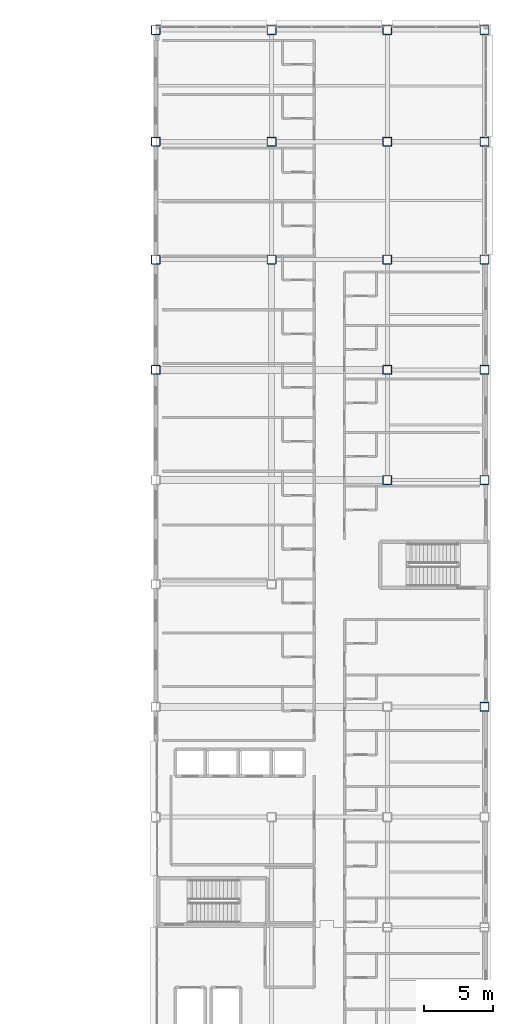
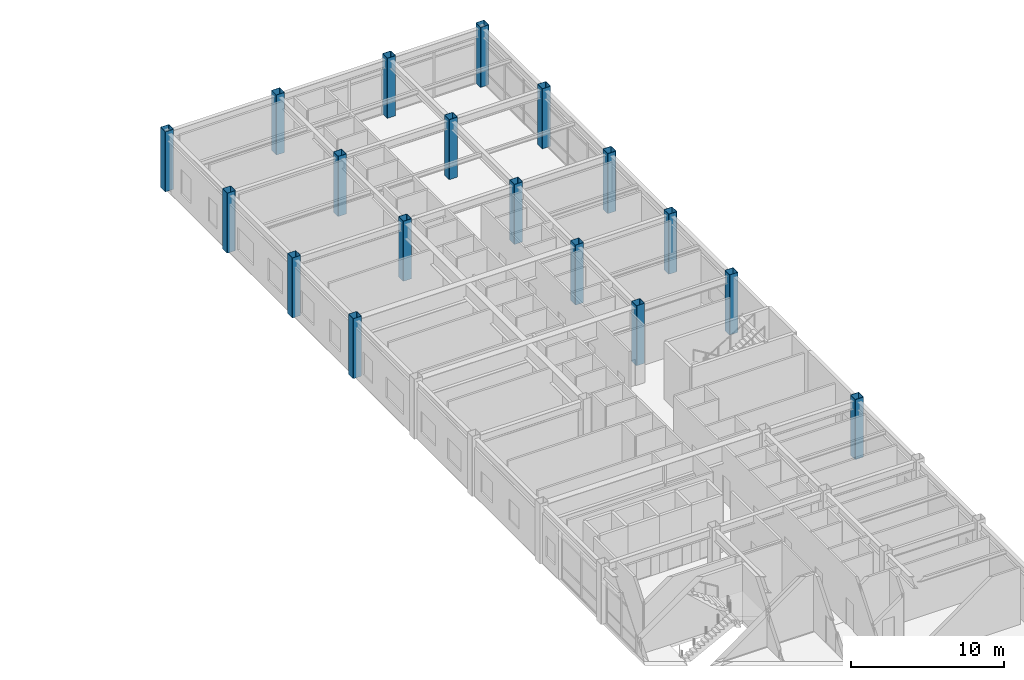
# One storey, part 14 of 93: 18 columns.
"""IFC4 building model written with IfcOpenShell, lengths in metres."""

import ifcopenshell
import ifcopenshell.guid

model = None  # the IFC model being written
_history = None  # IfcOwnerHistory: only IFC2X3 demands one
_inside = {}  # id of a spatial element -> (the spatial element, [elements in it])
_under = {}  # id of a project, library or spatial element -> (it, [spatial elements below it])
_declared = {}  # id of a project -> (the project, [libraries it declares])
_typed = {}  # id of a type object -> (the type object, [elements of that type])
_made_of = {}  # id of a material, layer set ... -> (it, [elements and type objects made of it])


def new_model(schema):
    """Start an empty IFC model of exactly this schema.

    Asked for "IFC4X3", IfcOpenShell would pick the latest addendum, in which some entities
    have other attributes; the version numbers below select the first issue.
    IFC2X3 requires an IfcOwnerHistory on every rooted entity: one is made here for all.
    """
    global model, _history
    if schema == "IFC4X3":
        model = ifcopenshell.file(schema_version=(4, 3, 0, 0))
    else:
        model = ifcopenshell.file(schema=schema)
    _inside.clear()
    _under.clear()
    _declared.clear()
    _typed.clear()
    _made_of.clear()
    _history = None
    if model.schema == "IFC2X3":
        org = make("IfcOrganization", Name="unknown")
        user = make(
            "IfcPersonAndOrganization",
            ThePerson=make("IfcPerson", FamilyName="unknown"),
            TheOrganization=org,
        )
        app = make(
            "IfcApplication",
            ApplicationDeveloper=org,
            Version="unknown",
            ApplicationFullName="unknown",
            ApplicationIdentifier="unknown",
        )
        _history = make(
            "IfcOwnerHistory",
            OwningUser=user,
            OwningApplication=app,
            ChangeAction="ADDED",
            CreationDate=0,
        )
    return model


def make(cls, **values):
    """One entity of the class cls with the attributes given. An attribute that is None is left unset."""
    return model.create_entity(
        cls, **{name: value for name, value in values.items() if value is not None}
    )


def rooted(cls, **values):
    """An entity with a GlobalId (a new one), such as an element, a storey or a relation."""
    return make(cls, GlobalId=ifcopenshell.guid.new(), OwnerHistory=_history, **values)


def si_unit(unit_type, name, prefix=None):
    """IfcSIUnit, for example si_unit("LENGTHUNIT", "METRE", prefix="MILLI")."""
    return make("IfcSIUnit", UnitType=unit_type, Prefix=prefix, Name=name)


def assignment(units):
    """IfcUnitAssignment: the units of a project."""
    return None if units is None else make("IfcUnitAssignment", Units=units)


def point(xyz):
    """IfcCartesianPoint."""
    return None if xyz is None else make("IfcCartesianPoint", Coordinates=xyz)


def direction(xyz):
    """IfcDirection."""
    return None if xyz is None else make("IfcDirection", DirectionRatios=xyz)


def frame(location, z_axis=None, x_axis=None):
    """IfcAxis2Placement3D, a coordinate frame: its origin and axes. An axis left out is left unset."""
    return make(
        "IfcAxis2Placement3D",
        Location=point(location),
        Axis=direction(z_axis),
        RefDirection=direction(x_axis),
    )


def frame_2d(location, x_axis=None):
    """IfcAxis2Placement2D, a coordinate frame in the plane: its origin and x axis."""
    return make(
        "IfcAxis2Placement2D", Location=point(location), RefDirection=direction(x_axis)
    )


def origin():
    """The frame at (0, 0, 0) with its axes left unset."""
    return frame((0.0, 0.0, 0.0))


def origin_2d():
    """The frame at (0, 0) in the plane with its x axis left unset."""
    return frame_2d((0.0, 0.0))


def place(relative_to, where):
    """IfcLocalPlacement: puts the frame where relative to a parent placement (None: the world)."""
    return make(
        "IfcLocalPlacement", PlacementRelTo=relative_to, RelativePlacement=where
    )


def context(
    kind, dimensions, precision=None, world=None, true_north=None, identifier=None
):
    """IfcGeometricRepresentationContext, for example the 3D "Model" context."""
    return make(
        "IfcGeometricRepresentationContext",
        ContextIdentifier=identifier,
        ContextType=kind,
        CoordinateSpaceDimension=dimensions,
        Precision=precision,
        WorldCoordinateSystem=world,
        TrueNorth=true_north,
    )


def subcontext(parent, identifier, kind, view, scale=None):
    """IfcGeometricRepresentationSubContext, for example "Body" below "Model"."""
    return make(
        "IfcGeometricRepresentationSubContext",
        ContextIdentifier=identifier,
        ContextType=kind,
        ParentContext=parent,
        TargetScale=scale,
        TargetView=view,
    )


def project(units=None, contexts=None):
    """IfcProject with its units and contexts."""
    return rooted(
        "IfcProject",
        Name="project",
        RepresentationContexts=contexts,
        UnitsInContext=assignment(units),
    )


def spatial(cls, under=None, at=None, **own):
    """A site, building, storey or space (cls), placed at a placement, below another one or the project."""
    s = rooted(cls, ObjectPlacement=at, **own)
    if under is not None:
        _under.setdefault(under.id(), (under, []))[1].append(s)
    return s


def profile(cls, at=None, kind="AREA", **sizes):
    """A parametric profile (cls). Its sizes go by their IFC names, for example OverallWidth=200.0."""
    return make(cls, ProfileType=kind, Position=at, **sizes)


def hollow_rectangle(**sizes):
    """IfcRectangleHollowProfileDef."""
    return profile("IfcRectangleHollowProfileDef", **sizes)


def extrude(swept, where, along, depth):
    """IfcExtrudedAreaSolid: the profile swept, set in the frame where, extruded along a direction by depth."""
    return make(
        "IfcExtrudedAreaSolid",
        SweptArea=swept,
        Position=where,
        ExtrudedDirection=direction(along),
        Depth=depth,
    )


def shape(context_of_items, identifier, shape_type, items):
    """IfcShapeRepresentation: the items that make up one representation, for example the "Body"."""
    return make(
        "IfcShapeRepresentation",
        ContextOfItems=context_of_items,
        RepresentationIdentifier=identifier,
        RepresentationType=shape_type,
        Items=items,
    )


def material(Name=None, Category=None):
    """IfcMaterial."""
    return make("IfcMaterial", Name=Name, Category=Category)


def material_profile(
    of_material, cross_section, Name=None, Category=None, Priority=None
):
    """IfcMaterialProfile: a cross section and its material."""
    return make(
        "IfcMaterialProfile",
        Name=Name,
        Material=of_material,
        Profile=cross_section,
        Priority=Priority,
        Category=Category,
    )


def profile_set(profiles, Name=None, composite=None):
    """IfcMaterialProfileSet."""
    return make(
        "IfcMaterialProfileSet",
        Name=Name,
        MaterialProfiles=profiles,
        CompositeProfile=composite,
    )


def made_of(thing, what):
    """Note that an element or type object is made of a material, layer set ...; save() writes the relation."""
    if what is not None:
        _made_of.setdefault(what.id(), (what, []))[1].append(thing)
    return thing


def type_object(cls, material=None, **own):
    """A type object (cls), such as IfcWallType, which elements share."""
    return made_of(rooted(cls, **own), material)


def element(
    cls,
    number,
    at=None,
    inside=None,
    cuts=None,
    type_object=None,
    material=None,
    context=None,
    identifier="Body",
    shape_type=None,
    held_by="IfcProductDefinitionShape",
    body=None,
    shapes=None,
    **own,
):
    """One element of the class cls, such as IfcWall. Its Tag is "e" and its number.

    at: its placement. inside: the storey or other place that contains it. cuts: it is an
    opening in that element (IfcRelVoidsElement). A single representation is given by context,
    identifier, shape_type and body (its items); several are given by shapes. held_by: the class
    of the entity that holds the representations. save() writes the other relations.
    """
    e = rooted(cls, Tag="e%d" % number, ObjectPlacement=at, **own)
    if body is not None:
        shapes = [shape(context, identifier, shape_type, body)]
    if shapes is not None:
        e.Representation = make(held_by, Representations=shapes)
    if inside is not None:
        _inside.setdefault(inside.id(), (inside, []))[1].append(e)
    if cuts is not None:
        rooted(
            "IfcRelVoidsElement", RelatingBuildingElement=cuts, RelatedOpeningElement=e
        )
    if type_object is not None:
        _typed.setdefault(type_object.id(), (type_object, []))[1].append(e)
    return made_of(e, material)


def aggregate(whole, parts):
    """IfcRelAggregates: a whole, such as a stair, and the parts it consists of."""
    return rooted("IfcRelAggregates", RelatingObject=whole, RelatedObjects=parts)


def save(model, path):
    """Write the relations noted so far, then the file.

    IfcRelAggregates (storeys below a building ...), IfcRelContainedInSpatialStructure (elements
    in a storey), IfcRelDefinesByType, IfcRelAssociatesMaterial and IfcRelDeclares: one each for
    every whole, place, type object, material and project.
    """
    for whole, parts in _under.values():
        aggregate(whole, parts)
    for where, things in _inside.values():
        rooted(
            "IfcRelContainedInSpatialStructure",
            RelatedElements=things,
            RelatingStructure=where,
        )
    for kind, things in _typed.values():
        rooted("IfcRelDefinesByType", RelatedObjects=things, RelatingType=kind)
    for what, things in _made_of.values():
        rooted("IfcRelAssociatesMaterial", RelatedObjects=things, RelatingMaterial=what)
    for by, libraries in _declared.values():
        rooted("IfcRelDeclares", RelatingContext=by, RelatedDefinitions=libraries)
    model.write(path)


model = new_model("IFC4")

# Units and contexts
model_context = context("Model", 3, precision=1e-05, world=origin(), true_north=direction((0.0, 1.0)))
body_context = subcontext(model_context, "Body", "Model", "MODEL_VIEW")
ifc_project = project(units=[si_unit("LENGTHUNIT", "METRE"), si_unit("AREAUNIT", "SQUARE_METRE"), si_unit("VOLUMEUNIT", "CUBIC_METRE"), si_unit("PLANEANGLEUNIT", "RADIAN"), si_unit("MASSUNIT", "GRAM", prefix="KILO")], contexts=[model_context])

# Site, building, storey
site_placement = place(None, origin())
site = spatial("IfcSite", under=ifc_project, at=site_placement, CompositionType="ELEMENT")
building_placement = place(site_placement, origin())
building = spatial("IfcBuilding", under=site, at=building_placement, Name="Kazehara Bluff Congress Hotel", CompositionType="ELEMENT")
storey_placement = place(building_placement, frame((0.0, 0.0, 15.0)))
storey = spatial("IfcBuildingStorey", under=building, at=storey_placement, Name="L03", CompositionType="ELEMENT", Elevation=15.0)

# Columns
ifc_material = material(Name="Steel BCR295", Category="steel")
ifc_material_profile = material_profile(ifc_material, hollow_rectangle(XDim=0.64990234375, YDim=0.64990234375, WallThickness=0.02490234375, InnerFilletRadius=0.02490234375, OuterFilletRadius=0.050048828125, at=origin_2d()))
ifc_profile_set = profile_set([ifc_material_profile], Name="Steel BCR295")
column_type = type_object("IfcColumnType", Name="TP-C-04", PredefinedType="COLUMN", material=ifc_profile_set)
for number, where, z_axis, x_axis, name in (
    (1, (143.699951171875, 88.89990234375, 0.0), (0.0, 0.0, 1.0), (1.0, 0.0, 0.0), "L03 column C-04 (143.70,88.90)"),
    (2, (143.699951171875, 96.89990234375, 0.0), (0.0, 0.0, 1.0), (1.0, 0.0, 0.0), "L03 column C-04 (143.70,96.90)"),
    (3, (143.699951171875, 105.449951171875, 0.0), (0.0, 0.0, 1.0), (1.0, 0.0, 0.0), "L03 column C-04 (143.70,105.45)"),
    (4, (143.699951171875, 113.550048828125, 0.0), (0.0, 0.0, 1.0), (1.0, 0.0, 0.0), "L03 column C-04 (143.70,113.55)"),
    (5, (152.10009765625, 96.89990234375, 0.0), (0.0, 0.0, 1.0), (1.0, 0.0, 0.0), "L03 column C-04 (152.10,96.90)"),
    (6, (152.10009765625, 105.449951171875, 0.0), (0.0, 0.0, 1.0), (1.0, 0.0, 0.0), "L03 column C-04 (152.10,105.45)"),
    (7, (152.10009765625, 113.550048828125, 0.0), (0.0, 0.0, 1.0), (1.0, 0.0, 0.0), "L03 column C-04 (152.10,113.55)"),
    (8, (160.5, 80.89990234375, 0.0), (0.0, 0.0, 1.0), (1.0, 0.0, 0.0), "L03 column C-04 (160.50,80.90)"),
    (9, (160.5, 88.89990234375, 0.0), (0.0, 0.0, 1.0), (1.0, 0.0, 0.0), "L03 column C-04 (160.50,88.90)"),
    (10, (160.5, 96.89990234375, 0.0), (0.0, 0.0, 1.0), (1.0, 0.0, 0.0), "L03 column C-04 (160.50,96.90)"),
    (11, (160.5, 105.449951171875, 0.0), (0.0, 0.0, 1.0), (1.0, 0.0, 0.0), "L03 column C-04 (160.50,105.45)"),
    (12, (160.5, 113.550048828125, 0.0), (0.0, 0.0, 1.0), (1.0, 0.0, 0.0), "L03 column C-04 (160.50,113.55)"),
    (13, (167.550048828125, 64.449951171875, 0.0), (0.0, 0.0, 1.0), (1.0, 0.0, 0.0), "L03 column C-04 (167.55,64.45)"),
    (14, (167.550048828125, 80.89990234375, 0.0), (0.0, 0.0, 1.0), (1.0, 0.0, 0.0), "L03 column C-04 (167.55,80.90)"),
    (15, (167.550048828125, 88.89990234375, 0.0), (0.0, 0.0, 1.0), (1.0, 0.0, 0.0), "L03 column C-04 (167.55,88.90)"),
    (16, (167.550048828125, 96.89990234375, 0.0), (0.0, 0.0, 1.0), (1.0, 0.0, 0.0), "L03 column C-04 (167.55,96.90)"),
    (17, (167.550048828125, 105.449951171875, 0.0), (0.0, 0.0, 1.0), (1.0, 0.0, 0.0), "L03 column C-04 (167.55,105.45)"),
    (18, (167.550048828125, 113.550048828125, 0.0), (0.0, 0.0, 1.0), (1.0, 0.0, 0.0), "L03 column C-04 (167.55,113.55)"),
):
    element("IfcColumn", number, at=place(storey_placement, frame(where, z_axis=z_axis, x_axis=x_axis)), inside=storey, type_object=column_type, Name=name, PredefinedType="COLUMN", context=body_context, shape_type="SweptSolid", body=[
        extrude(hollow_rectangle(XDim=0.64990234375, YDim=0.64990234375, WallThickness=0.02490234375, InnerFilletRadius=0.02490234375, OuterFilletRadius=0.050048828125, at=origin_2d()), origin(), (0.0, 0.0, 1.0), 4.800048828125),
    ])

save(model, "model.ifc")
